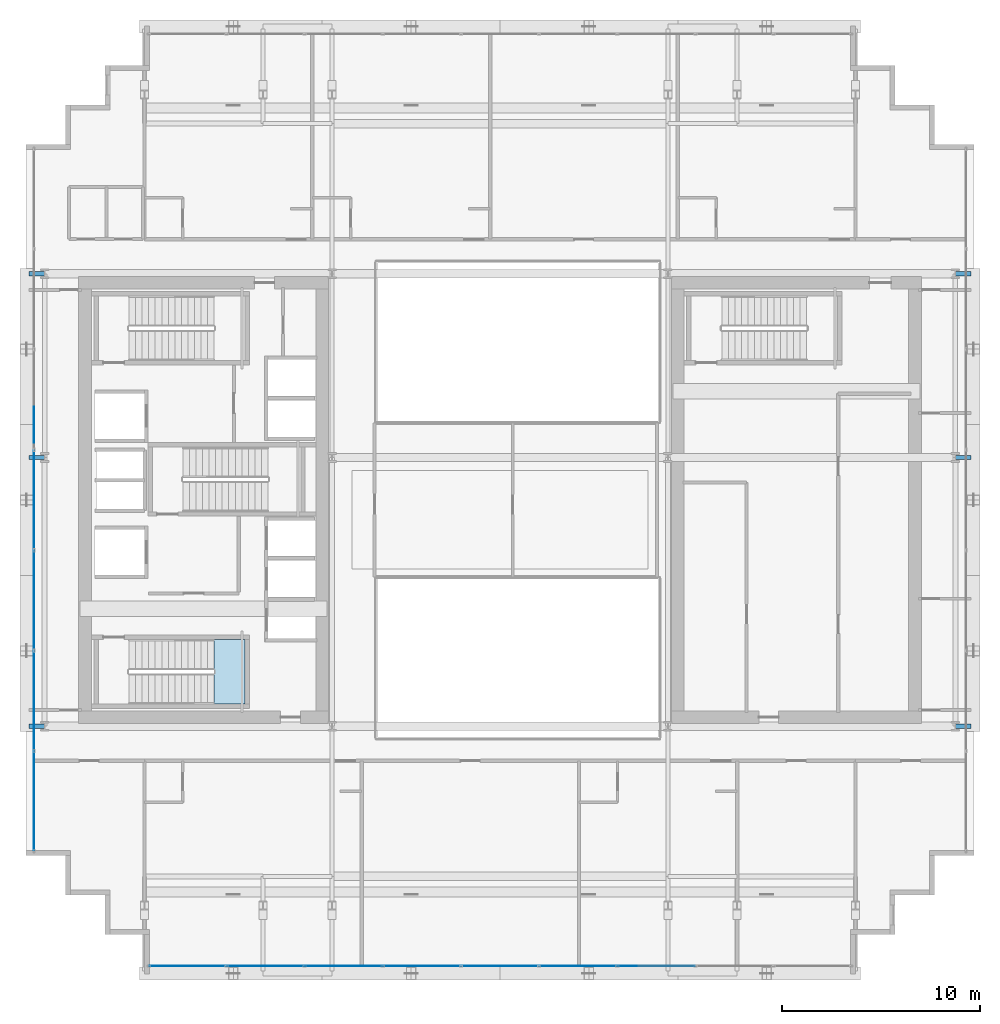
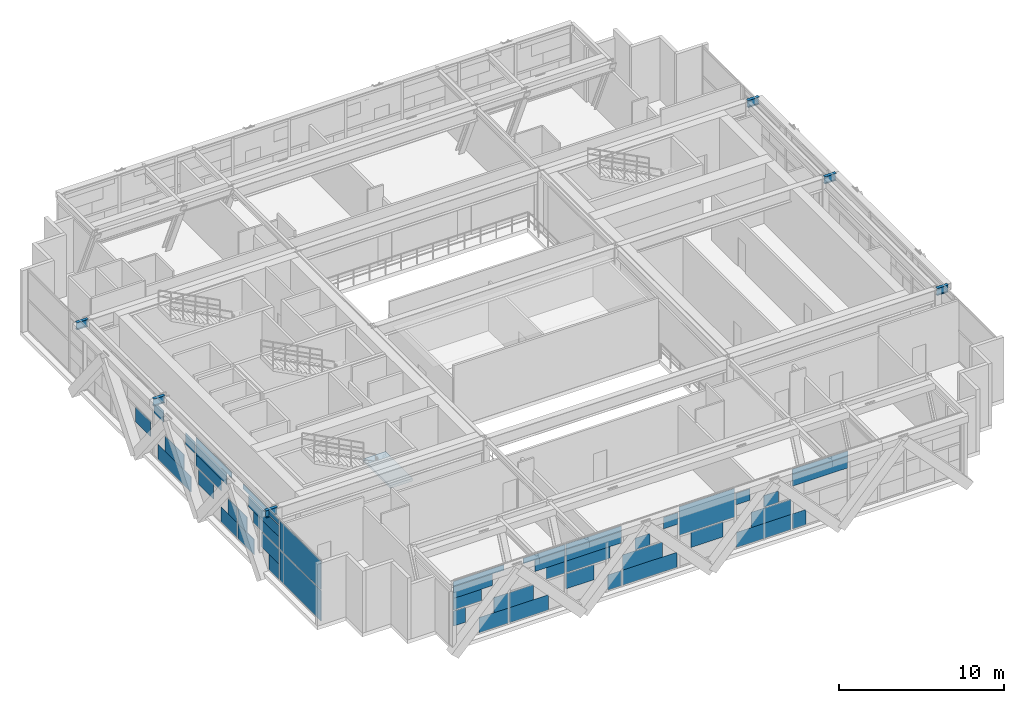
# One storey, part 23 of 35: 49 plates, 6 beams, 1 slab, 3 elements without a shape of their own.
"""IFC4 building model written with IfcOpenShell, lengths in metres."""

from ifc_helpers import new_model, si_unit, direction, frame, origin, origin_2d, place, context, subcontext, project, spatial, polyline, rectangle, i_section, outline, extrude, source, transform, mapped, material, layer, layer_set, material_profile, profile_set, type_object, element, aggregate, save


model = new_model("IFC4")

# Units and contexts
model_context = context("Model", 3, precision=1e-05, world=origin(), true_north=direction((0.0, 1.0)))
body_context = subcontext(model_context, "Body", "Model", "MODEL_VIEW")
ifc_project = project(units=[si_unit("LENGTHUNIT", "METRE"), si_unit("AREAUNIT", "SQUARE_METRE"), si_unit("VOLUMEUNIT", "CUBIC_METRE"), si_unit("PLANEANGLEUNIT", "RADIAN"), si_unit("MASSUNIT", "GRAM", prefix="KILO")], contexts=[model_context])

# Site, building, storey
site_placement = place(None, origin())
site = spatial("IfcSite", under=ifc_project, at=site_placement, CompositionType="ELEMENT")
building_placement = place(site_placement, origin())
building = spatial("IfcBuilding", under=site, at=building_placement, Name="Ocotamira Hotel", CompositionType="ELEMENT")
storey_placement = place(building_placement, frame((0.0, 0.0, 158.39990234375)))
storey = spatial("IfcBuildingStorey", under=building, at=storey_placement, Name="L39", CompositionType="ELEMENT", Elevation=158.39990234375)

# Beams
ifc_material_1 = material(Name="Steel ASTM A992 Grade 50", Category="steel")
ifc_material_profile = material_profile(ifc_material_1, i_section(OverallWidth=0.2099609375, OverallDepth=0.537109375, WebThickness=0.010986328125, FlangeThickness=0.017333984375, FilletRadius=0.012939453125, at=origin_2d()), Name="W21X68")
ifc_profile_set = profile_set([ifc_material_profile], Name="Steel ASTM A992 Grade 50")
beam_type = type_object("IfcBeamType", Name="BM-SEC-W21X68", PredefinedType="JOIST", material=ifc_profile_set)
shared_shape_1 = source(origin(), body_context, "Body", "SweptSolid", [
    extrude(i_section(OverallWidth=0.2099609375, OverallDepth=0.537109375, WebThickness=0.010986328125, FlangeThickness=0.017333984375, FilletRadius=0.012939453125, at=origin_2d()), origin(), (0.0, 0.0, 1.0), 0.800048828125),
])
for number, where, z_axis, x_axis, name in (
    (1, (8.949951171875, 14.550048828125, 4.301513671875), (-1.0, 0.0, 0.0), (0.0, -1.0, 0.0), "L39 West Edge Header Y14.55"),
    (2, (55.050048828125, 14.550048828125, 4.301513671875), (1.0, 0.0, 0.0), (0.0, 1.0, 0.0), "L39 East Edge Header Y14.55"),
    (3, (8.949951171875, 28.14990234375, 4.301513671875), (-1.0, 0.0, 0.0), (0.0, -1.0, 0.0), "L39 West Edge Header Y28.15"),
    (4, (55.050048828125, 28.14990234375, 4.301513671875), (1.0, 0.0, 0.0), (0.0, 1.0, 0.0), "L39 East Edge Header Y28.15"),
    (5, (8.949951171875, 37.449951171875, 4.301513671875), (-1.0, 0.0, 0.0), (0.0, -1.0, 0.0), "L39 West Edge Header Y37.45"),
    (6, (55.050048828125, 37.449951171875, 4.301513671875), (1.0, 0.0, 0.0), (0.0, 1.0, 0.0), "L39 East Edge Header Y37.45"),
):
    element("IfcBeam", number, at=place(storey_placement, frame(where, z_axis=z_axis, x_axis=x_axis)), inside=storey, type_object=beam_type, Name=name, PredefinedType="JOIST", context=body_context, shape_type="MappedRepresentation", body=[
        mapped(shared_shape_1, transform((0.0, 0.0, 0.0), scale=1.0)),
    ])

# Stair, slab
ifc_material_2 = material(Name="Concrete C40/50", Category="concrete")
stair_type = type_object("IfcStairType", Name="ST-CORE-1560", PredefinedType="HALF_TURN_STAIR", material=ifc_material_2)
stair_placement = place(storey_placement, origin())
stair = element("IfcStair", 7, at=stair_placement, inside=storey, type_object=stair_type, Name="L39 Exit Stair ST-1", PredefinedType="HALF_TURN_STAIR")
ifc_layer_1 = layer(ifc_material_2, 0.199951171875)
ifc_layer_set_1 = layer_set([ifc_layer_1], Name="Concrete C40/50")
slab_type = type_object("IfcSlabType", Name="SLB-LAND-200", PredefinedType="LANDING", material=ifc_layer_set_1)
slab_placement = place(storey_placement, frame((0.0, 0.0, 2.2001953125)))
slab = element("IfcSlab", 8, at=slab_placement, type_object=slab_type, Name="ST-1 landing 1", PredefinedType="LANDING", context=body_context, shape_type="SweptSolid", body=[
    extrude(outline(polyline([(17.52001953125, 15.669921875), (19.090087890625, 15.669921875), (19.090087890625, 18.949951171875), (17.52001953125, 18.949951171875), (17.52001953125, 15.669921875)])), origin(), (0.0, 0.0, 1.0), 0.199951171875),
])
aggregate(stair, [slab])

# Curtain wall, plate
ifc_material_3 = material(Name="Anodised pale-metal aluminium and solar glass", Category="aluminium")
ifc_layer_2 = layer(ifc_material_3, 0.239990234375)
ifc_layer_set_2 = layer_set([ifc_layer_2], Name="Anodised pale-metal aluminium and solar glass")
curtain_wall_type = type_object("IfcCurtainWallType", Name="CW-SYS5-SKY", PredefinedType="NOTDEFINED", material=ifc_layer_set_2)
curtain_wall_1_placement = place(storey_placement, origin())
curtain_wall_1 = element("IfcCurtainWall", 9, at=curtain_wall_1_placement, inside=storey, type_object=curtain_wall_type, Name="L39 Curtain Wall CW-5 CW-L39-W", PredefinedType="NOTDEFINED")
ifc_material_4 = material(Name="Double-silver low-E insulated solar glass", Category="glass")
ifc_layer_3 = layer(ifc_material_4, 0.031982421875)
ifc_layer_set_3 = layer_set([ifc_layer_3], Name="Double-silver low-E insulated solar glass")
plate_type = type_object("IfcPlateType", Name="CWP-VISION-32", PredefinedType="CURTAIN_PANEL", material=ifc_layer_set_3)
shared_shape_2 = source(origin(), body_context, "Body", "SweptSolid", [
    extrude(rectangle(XDim=4.9658203125, YDim=0.031982421875, at=origin_2d()), origin(), (0.0, 0.0, 1.0), 2.237548828125),
])
plate_1_placement = place(storey_placement, frame((8.419921875, 10.762939453125, 0.0751953125), z_axis=(0.0, 0.0, 1.0), x_axis=(0.0, 1.0, 0.0)))
plate_1 = element("IfcPlate", 10, at=plate_1_placement, type_object=plate_type, Name="CW-5 panel 1.1", PredefinedType="CURTAIN_PANEL", context=body_context, shape_type="MappedRepresentation", body=[
    mapped(shared_shape_2, transform((0.0, 0.0, 0.0), scale=1.0)),
])

# Curtain wall, plates
curtain_wall_2_placement = place(storey_placement, origin())
curtain_wall_2 = element("IfcCurtainWall", 11, at=curtain_wall_2_placement, inside=storey, type_object=curtain_wall_type, Name="L39 Curtain Wall CW-5 CW-L39-S1", PredefinedType="NOTDEFINED")
shared_shape_3 = source(origin(), body_context, "Body", "SweptSolid", [
    extrude(rectangle(XDim=0.841796875, YDim=0.031982421875, at=origin_2d()), origin(), (0.0, 0.0, 1.0), 1.118896484375),
])
plate_2_placement = place(storey_placement, frame((14.700927734375, 2.419921875, 1.19384765625), z_axis=(0.0, 0.0, 1.0), x_axis=(1.0, 0.0, 0.0)))
plate_2 = element("IfcPlate", 12, at=plate_2_placement, type_object=plate_type, Name="CW-5 panel 1.1.1", PredefinedType="CURTAIN_PANEL", context=body_context, shape_type="MappedRepresentation", body=[
    mapped(shared_shape_3, transform((0.0, 0.0, 0.0), scale=1.0)),
])
shared_shape_4 = source(origin(), body_context, "Body", "SweptSolid", [
    extrude(rectangle(XDim=2.038818359375, YDim=0.031982421875, at=origin_2d()), origin(), (0.0, 0.0, 1.0), 1.118896484375),
])
plate_3_placement = place(storey_placement, frame((17.09619140625, 2.419921875, 0.0751953125), z_axis=(0.0, 0.0, 1.0), x_axis=(1.0, 0.0, 0.0)))
plate_3 = element("IfcPlate", 13, at=plate_3_placement, type_object=plate_type, Name="CW-5 panel 1.1.2", PredefinedType="CURTAIN_PANEL", context=body_context, shape_type="MappedRepresentation", body=[
    mapped(shared_shape_4, transform((0.0, 0.0, 0.0), scale=1.0)),
])
shared_shape_5 = source(origin(), body_context, "Body", "SweptSolid", [
    extrude(rectangle(XDim=1.000732421875, YDim=0.031982421875, at=origin_2d()), origin(), (0.0, 0.0, 1.0), 1.118896484375),
])
plate_4_placement = place(storey_placement, frame((17.615234375, 2.419921875, 1.19384765625), z_axis=(0.0, 0.0, 1.0), x_axis=(1.0, 0.0, 0.0)))
plate_4 = element("IfcPlate", 14, at=plate_4_placement, type_object=plate_type, Name="CW-5 panel 1.1.3", PredefinedType="CURTAIN_PANEL", context=body_context, shape_type="MappedRepresentation", body=[
    mapped(shared_shape_5, transform((0.0, 0.0, 0.0), scale=1.0)),
])
shared_shape_6 = source(origin(), body_context, "Body", "SweptSolid", [
    extrude(rectangle(XDim=1.949462890625, YDim=0.031982421875, at=origin_2d()), origin(), (0.0, 0.0, 1.0), 0.8564453125),
])
plate_5_placement = place(storey_placement, frame((15.2548828125, 2.419921875, 2.3876953125), z_axis=(0.0, 0.0, 1.0), x_axis=(1.0, 0.0, 0.0)))
plate_5 = element("IfcPlate", 15, at=plate_5_placement, type_object=plate_type, Name="CW-5 panel 1.2.1", PredefinedType="CURTAIN_PANEL", context=body_context, shape_type="MappedRepresentation", body=[
    mapped(shared_shape_6, transform((0.0, 0.0, 0.0), scale=1.0)),
])
shared_shape_7 = source(origin(), body_context, "Body", "SweptSolid", [
    extrude(rectangle(XDim=2.744140625, YDim=0.031982421875, at=origin_2d()), origin(), (0.0, 0.0, 1.0), 0.8564453125),
])
plate_6_placement = place(storey_placement, frame((15.652099609375, 2.419921875, 3.243896484375), z_axis=(0.0, 0.0, 1.0), x_axis=(1.0, 0.0, 0.0)))
plate_6 = element("IfcPlate", 16, at=plate_6_placement, type_object=plate_type, Name="CW-5 panel 1.2.2", PredefinedType="CURTAIN_PANEL", context=body_context, shape_type="MappedRepresentation", body=[
    mapped(shared_shape_7, transform((0.0, 0.0, 0.0), scale=1.0)),
])
shared_shape_8 = source(origin(), body_context, "Body", "SweptSolid", [
    extrude(rectangle(XDim=3.538818359375, YDim=0.031982421875, at=origin_2d()), origin(), (0.0, 0.0, 1.0), 0.394775390625),
])
plate_7_placement = place(storey_placement, frame((16.04931640625, 2.419921875, 4.10009765625), z_axis=(0.0, 0.0, 1.0), x_axis=(1.0, 0.0, 0.0)))
plate_7 = element("IfcPlate", 17, at=plate_7_placement, type_object=plate_type, Name="CW-5 panel 1.2.3", PredefinedType="CURTAIN_PANEL", context=body_context, shape_type="MappedRepresentation", body=[
    mapped(shared_shape_8, transform((0.0, 0.0, 0.0), scale=1.0)),
])
shared_shape_9 = source(origin(), body_context, "Body", "SweptSolid", [
    extrude(rectangle(XDim=2.7275390625, YDim=0.031982421875, at=origin_2d()), origin(), (0.0, 0.0, 1.0), 1.118896484375),
])
plate_8_placement = place(storey_placement, frame((19.559326171875, 2.419921875, 0.0751953125), z_axis=(0.0, 0.0, 1.0), x_axis=(1.0, 0.0, 0.0)))
plate_8 = element("IfcPlate", 18, at=plate_8_placement, type_object=plate_type, Name="CW-5 panel 2.1.1", PredefinedType="CURTAIN_PANEL", context=body_context, shape_type="MappedRepresentation", body=[
    mapped(shared_shape_9, transform((0.0, 0.0, 0.0), scale=1.0)),
])
shared_shape_10 = source(origin(), body_context, "Body", "SweptSolid", [
    extrude(rectangle(XDim=1.689697265625, YDim=0.031982421875, at=origin_2d()), origin(), (0.0, 0.0, 1.0), 1.118896484375),
])
plate_9_placement = place(storey_placement, frame((19.040283203125, 2.419921875, 1.19384765625), z_axis=(0.0, 0.0, 1.0), x_axis=(1.0, 0.0, 0.0)))
plate_9 = element("IfcPlate", 19, at=plate_9_placement, type_object=plate_type, Name="CW-5 panel 2.1.2", PredefinedType="CURTAIN_PANEL", context=body_context, shape_type="MappedRepresentation", body=[
    mapped(shared_shape_10, transform((0.0, 0.0, 0.0), scale=1.0)),
])
shared_shape_11 = source(origin(), body_context, "Body", "SweptSolid", [
    extrude(rectangle(XDim=2.889892578125, YDim=0.031982421875, at=origin_2d()), origin(), (0.0, 0.0, 1.0), 0.394775390625),
])
plate_10_placement = place(storey_placement, frame((20.626220703125, 2.419921875, 4.10009765625), z_axis=(0.0, 0.0, 1.0), x_axis=(1.0, 0.0, 0.0)))
plate_10 = element("IfcPlate", 20, at=plate_10_placement, type_object=plate_type, Name="CW-5 panel 2.2.1", PredefinedType="CURTAIN_PANEL", context=body_context, shape_type="MappedRepresentation", body=[
    mapped(shared_shape_11, transform((0.0, 0.0, 0.0), scale=1.0)),
])
shared_shape_12 = source(origin(), body_context, "Body", "SweptSolid", [
    extrude(rectangle(XDim=2.09521484375, YDim=0.031982421875, at=origin_2d()), origin(), (0.0, 0.0, 1.0), 0.8564453125),
])
plate_11_placement = place(storey_placement, frame((21.0234375, 2.419921875, 3.243896484375), z_axis=(0.0, 0.0, 1.0), x_axis=(1.0, 0.0, 0.0)))
plate_11 = element("IfcPlate", 21, at=plate_11_placement, type_object=plate_type, Name="CW-5 panel 2.2.2", PredefinedType="CURTAIN_PANEL", context=body_context, shape_type="MappedRepresentation", body=[
    mapped(shared_shape_12, transform((0.0, 0.0, 0.0), scale=1.0)),
])
shared_shape_13 = source(origin(), body_context, "Body", "SweptSolid", [
    extrude(rectangle(XDim=1.300537109375, YDim=0.031982421875, at=origin_2d()), origin(), (0.0, 0.0, 1.0), 0.8564453125),
])
plate_12_placement = place(storey_placement, frame((21.4208984375, 2.419921875, 2.3876953125), z_axis=(0.0, 0.0, 1.0), x_axis=(1.0, 0.0, 0.0)))
plate_12 = element("IfcPlate", 22, at=plate_12_placement, type_object=plate_type, Name="CW-5 panel 2.2.3", PredefinedType="CURTAIN_PANEL", context=body_context, shape_type="MappedRepresentation", body=[
    mapped(shared_shape_13, transform((0.0, 0.0, 0.0), scale=1.0)),
])
shared_shape_14 = source(origin(), body_context, "Body", "SweptSolid", [
    extrude(rectangle(XDim=1.970703125, YDim=0.031982421875, at=origin_2d()), origin(), (0.0, 0.0, 1.0), 1.118896484375),
])
plate_13_placement = place(storey_placement, frame((23.136474609375, 2.419921875, 1.19384765625), z_axis=(0.0, 0.0, 1.0), x_axis=(1.0, 0.0, 0.0)))
plate_13 = element("IfcPlate", 23, at=plate_13_placement, type_object=plate_type, Name="CW-5 panel 3.1.1", PredefinedType="CURTAIN_PANEL", context=body_context, shape_type="MappedRepresentation", body=[
    mapped(shared_shape_14, transform((0.0, 0.0, 0.0), scale=1.0)),
])
shared_shape_15 = source(origin(), body_context, "Body", "SweptSolid", [
    extrude(rectangle(XDim=0.949951171875, YDim=0.031982421875, at=origin_2d()), origin(), (0.0, 0.0, 1.0), 1.118896484375),
])
plate_14_placement = place(storey_placement, frame((25.5517578125, 2.419921875, 0.0751953125), z_axis=(0.0, 0.0, 1.0), x_axis=(1.0, 0.0, 0.0)))
plate_14 = element("IfcPlate", 24, at=plate_14_placement, type_object=plate_type, Name="CW-5 panel 3.1.2", PredefinedType="CURTAIN_PANEL", context=body_context, shape_type="MappedRepresentation", body=[
    mapped(shared_shape_15, transform((0.0, 0.0, 0.0), scale=1.0)),
])
plate_15_placement = place(storey_placement, frame((38.4482421875, 2.419921875, 0.0751953125), z_axis=(0.0, 0.0, 1.0), x_axis=(1.0, 0.0, 0.0)))
plate_15 = element("IfcPlate", 25, at=plate_15_placement, type_object=plate_type, Name="CW-5 panel 7.1.1", PredefinedType="CURTAIN_PANEL", context=body_context, shape_type="MappedRepresentation", body=[
    mapped(shared_shape_15, transform((0.0, 0.0, 0.0), scale=1.0)),
])
shared_shape_16 = source(origin(), body_context, "Body", "SweptSolid", [
    extrude(rectangle(XDim=3.078369140625, YDim=0.031982421875, at=origin_2d()), origin(), (0.0, 0.0, 1.0), 0.8564453125),
])
plate_16_placement = place(storey_placement, frame((23.690185546875, 2.419921875, 2.3876953125), z_axis=(0.0, 0.0, 1.0), x_axis=(1.0, 0.0, 0.0)))
plate_16 = element("IfcPlate", 26, at=plate_16_placement, type_object=plate_type, Name="CW-5 panel 3.2.1", PredefinedType="CURTAIN_PANEL", context=body_context, shape_type="MappedRepresentation", body=[
    mapped(shared_shape_16, transform((0.0, 0.0, 0.0), scale=1.0)),
])
shared_shape_17 = source(origin(), body_context, "Body", "SweptSolid", [
    extrude(rectangle(XDim=3.873046875, YDim=0.031982421875, at=origin_2d()), origin(), (0.0, 0.0, 1.0), 0.8564453125),
])
plate_17_placement = place(storey_placement, frame((24.087646484375, 2.419921875, 3.243896484375), z_axis=(0.0, 0.0, 1.0), x_axis=(1.0, 0.0, 0.0)))
plate_17 = element("IfcPlate", 27, at=plate_17_placement, type_object=plate_type, Name="CW-5 panel 3.2.2", PredefinedType="CURTAIN_PANEL", context=body_context, shape_type="MappedRepresentation", body=[
    mapped(shared_shape_17, transform((0.0, 0.0, 0.0), scale=1.0)),
])
plate_18_placement = place(storey_placement, frame((39.912353515625, 2.419921875, 3.243896484375), z_axis=(0.0, 0.0, 1.0), x_axis=(1.0, 0.0, 0.0)))
plate_18 = element("IfcPlate", 28, at=plate_18_placement, type_object=plate_type, Name="CW-5 panel 7.2.2", PredefinedType="CURTAIN_PANEL", context=body_context, shape_type="MappedRepresentation", body=[
    mapped(shared_shape_17, transform((0.0, 0.0, 0.0), scale=1.0)),
])
shared_shape_18 = source(origin(), body_context, "Body", "SweptSolid", [
    extrude(rectangle(XDim=3.87548828125, YDim=0.031982421875, at=origin_2d()), origin(), (0.0, 0.0, 1.0), 0.394775390625),
])
plate_19_placement = place(storey_placement, frame((24.0888671875, 2.419921875, 4.10009765625), z_axis=(0.0, 0.0, 1.0), x_axis=(1.0, 0.0, 0.0)))
plate_19 = element("IfcPlate", 29, at=plate_19_placement, type_object=plate_type, Name="CW-5 panel 3.2.3", PredefinedType="CURTAIN_PANEL", context=body_context, shape_type="MappedRepresentation", body=[
    mapped(shared_shape_18, transform((0.0, 0.0, 0.0), scale=1.0)),
])
plate_20_placement = place(storey_placement, frame((39.9111328125, 2.419921875, 4.10009765625), z_axis=(0.0, 0.0, 1.0), x_axis=(1.0, 0.0, 0.0)))
plate_20 = element("IfcPlate", 30, at=plate_20_placement, type_object=plate_type, Name="CW-5 panel 7.2.1", PredefinedType="CURTAIN_PANEL", context=body_context, shape_type="MappedRepresentation", body=[
    mapped(shared_shape_18, transform((0.0, 0.0, 0.0), scale=1.0)),
])
shared_shape_19 = source(origin(), body_context, "Body", "SweptSolid", [
    extrude(rectangle(XDim=3.81640625, YDim=0.031982421875, at=origin_2d()), origin(), (0.0, 0.0, 1.0), 1.118896484375),
])
plate_21_placement = place(storey_placement, frame((28.014892578125, 2.419921875, 0.0751953125), z_axis=(0.0, 0.0, 1.0), x_axis=(1.0, 0.0, 0.0)))
plate_21 = element("IfcPlate", 31, at=plate_21_placement, type_object=plate_type, Name="CW-5 panel 4.1.1", PredefinedType="CURTAIN_PANEL", context=body_context, shape_type="MappedRepresentation", body=[
    mapped(shared_shape_19, transform((0.0, 0.0, 0.0), scale=1.0)),
])
plate_22_placement = place(storey_placement, frame((35.985107421875, 2.419921875, 0.0751953125), z_axis=(0.0, 0.0, 1.0), x_axis=(1.0, 0.0, 0.0)))
plate_22 = element("IfcPlate", 32, at=plate_22_placement, type_object=plate_type, Name="CW-5 panel 6.1.1", PredefinedType="CURTAIN_PANEL", context=body_context, shape_type="MappedRepresentation", body=[
    mapped(shared_shape_19, transform((0.0, 0.0, 0.0), scale=1.0)),
])
shared_shape_20 = source(origin(), body_context, "Body", "SweptSolid", [
    extrude(rectangle(XDim=2.778564453125, YDim=0.031982421875, at=origin_2d()), origin(), (0.0, 0.0, 1.0), 1.118896484375),
])
plate_23_placement = place(storey_placement, frame((27.495849609375, 2.419921875, 1.19384765625), z_axis=(0.0, 0.0, 1.0), x_axis=(1.0, 0.0, 0.0)))
plate_23 = element("IfcPlate", 33, at=plate_23_placement, type_object=plate_type, Name="CW-5 panel 4.1.2", PredefinedType="CURTAIN_PANEL", context=body_context, shape_type="MappedRepresentation", body=[
    mapped(shared_shape_20, transform((0.0, 0.0, 0.0), scale=1.0)),
])
plate_24_placement = place(storey_placement, frame((36.504150390625, 2.419921875, 1.19384765625), z_axis=(0.0, 0.0, 1.0), x_axis=(1.0, 0.0, 0.0)))
plate_24 = element("IfcPlate", 34, at=plate_24_placement, type_object=plate_type, Name="CW-5 panel 6.1.2", PredefinedType="CURTAIN_PANEL", context=body_context, shape_type="MappedRepresentation", body=[
    mapped(shared_shape_20, transform((0.0, 0.0, 0.0), scale=1.0)),
])
shared_shape_21 = source(origin(), body_context, "Body", "SweptSolid", [
    extrude(rectangle(XDim=1.0419921875, YDim=0.031982421875, at=origin_2d()), origin(), (0.0, 0.0, 1.0), 0.8564453125),
])
plate_25_placement = place(storey_placement, frame((27.5, 2.419921875, 2.3876953125), z_axis=(0.0, 0.0, 1.0), x_axis=(1.0, 0.0, 0.0)))
plate_25 = element("IfcPlate", 35, at=plate_25_placement, type_object=plate_type, Name="CW-5 panel 4.2.1", PredefinedType="CURTAIN_PANEL", context=body_context, shape_type="MappedRepresentation", body=[
    mapped(shared_shape_21, transform((0.0, 0.0, 0.0), scale=1.0)),
])
plate_26_placement = place(storey_placement, frame((36.5, 2.419921875, 2.3876953125), z_axis=(0.0, 0.0, 1.0), x_axis=(1.0, 0.0, 0.0)))
plate_26 = element("IfcPlate", 36, at=plate_26_placement, type_object=plate_type, Name="CW-5 panel 6.2.2", PredefinedType="CURTAIN_PANEL", context=body_context, shape_type="MappedRepresentation", body=[
    mapped(shared_shape_21, transform((0.0, 0.0, 0.0), scale=1.0)),
])
shared_shape_22 = source(origin(), body_context, "Body", "SweptSolid", [
    extrude(rectangle(XDim=1.00634765625, YDim=0.031982421875, at=origin_2d()), origin(), (0.0, 0.0, 1.0), 0.8564453125),
])
plate_27_placement = place(storey_placement, frame((29.47900390625, 2.419921875, 3.243896484375), z_axis=(0.0, 0.0, 1.0), x_axis=(1.0, 0.0, 0.0)))
plate_27 = element("IfcPlate", 37, at=plate_27_placement, type_object=plate_type, Name="CW-5 panel 4.2.2", PredefinedType="CURTAIN_PANEL", context=body_context, shape_type="MappedRepresentation", body=[
    mapped(shared_shape_22, transform((0.0, 0.0, 0.0), scale=1.0)),
])
plate_28_placement = place(storey_placement, frame((34.52099609375, 2.419921875, 3.243896484375), z_axis=(0.0, 0.0, 1.0), x_axis=(1.0, 0.0, 0.0)))
plate_28 = element("IfcPlate", 38, at=plate_28_placement, type_object=plate_type, Name="CW-5 panel 6.2.1", PredefinedType="CURTAIN_PANEL", context=body_context, shape_type="MappedRepresentation", body=[
    mapped(shared_shape_22, transform((0.0, 0.0, 0.0), scale=1.0)),
])
shared_shape_23 = source(origin(), body_context, "Body", "SweptSolid", [
    extrude(rectangle(XDim=2.243896484375, YDim=0.031982421875, at=origin_2d()), origin(), (0.0, 0.0, 1.0), 1.118896484375),
])
plate_29_placement = place(storey_placement, frame((32.0, 2.419921875, 1.19384765625), z_axis=(0.0, 0.0, 1.0), x_axis=(1.0, 0.0, 0.0)))
plate_29 = element("IfcPlate", 39, at=plate_29_placement, type_object=plate_type, Name="CW-5 panel 5.1.1", PredefinedType="CURTAIN_PANEL", context=body_context, shape_type="MappedRepresentation", body=[
    mapped(shared_shape_23, transform((0.0, 0.0, 0.0), scale=1.0)),
])
shared_shape_24 = source(origin(), body_context, "Body", "SweptSolid", [
    extrude(rectangle(XDim=3.87548828125, YDim=0.031982421875, at=origin_2d()), origin(), (0.0, 0.0, 1.0), 2.107421875),
])
plate_30_placement = place(storey_placement, frame((32.0, 2.419921875, 2.3876953125), z_axis=(0.0, 0.0, 1.0), x_axis=(1.0, 0.0, 0.0)))
plate_30 = element("IfcPlate", 40, at=plate_30_placement, type_object=plate_type, Name="CW-5 panel 5.2", PredefinedType="CURTAIN_PANEL", context=body_context, shape_type="MappedRepresentation", body=[
    mapped(shared_shape_24, transform((0.0, 0.0, 0.0), scale=1.0)),
])
aggregate(curtain_wall_2, [plate_2, plate_3, plate_4, plate_5, plate_6, plate_7, plate_8, plate_9, plate_10, plate_11, plate_12, plate_13, plate_14, plate_16, plate_17, plate_19, plate_21, plate_23, plate_25, plate_27, plate_29, plate_30, plate_22, plate_24, plate_28, plate_26, plate_15, plate_20, plate_18])

# Plate
shared_shape_25 = source(origin(), body_context, "Body", "SweptSolid", [
    extrude(rectangle(XDim=4.9658203125, YDim=0.031982421875, at=origin_2d()), origin(), (0.0, 0.0, 1.0), 2.107421875),
])
plate_31_placement = place(storey_placement, frame((8.419921875, 10.762939453125, 2.3876953125), z_axis=(0.0, 0.0, 1.0), x_axis=(0.0, 1.0, 0.0)))
plate_31 = element("IfcPlate", 41, at=plate_31_placement, type_object=plate_type, Name="CW-5 panel 1.2", PredefinedType="CURTAIN_PANEL", context=body_context, shape_type="MappedRepresentation", body=[
    mapped(shared_shape_25, transform((0.0, 0.0, 0.0), scale=1.0)),
])

shared_shape_26 = source(origin(), body_context, "Body", "SweptSolid", [
    extrude(rectangle(XDim=1.2548828125, YDim=0.031982421875, at=origin_2d()), origin(), (0.0, 0.0, 1.0), 1.118896484375),
])
plate_32_placement = place(storey_placement, frame((8.419921875, 13.953125, 0.0751953125), z_axis=(0.0, 0.0, 1.0), x_axis=(0.0, 1.0, 0.0)))
plate_32 = element("IfcPlate", 42, at=plate_32_placement, type_object=plate_type, Name="CW-5 panel 2.1.1", PredefinedType="CURTAIN_PANEL", context=body_context, shape_type="MappedRepresentation", body=[
    mapped(shared_shape_26, transform((0.0, 0.0, 0.0), scale=1.0)),
])

shared_shape_27 = source(origin(), body_context, "Body", "SweptSolid", [
    extrude(rectangle(XDim=2.135498046875, YDim=0.031982421875, at=origin_2d()), origin(), (0.0, 0.0, 1.0), 1.118896484375),
])
plate_33_placement = place(storey_placement, frame((8.419921875, 14.393310546875, 1.19384765625), z_axis=(0.0, 0.0, 1.0), x_axis=(0.0, 1.0, 0.0)))
plate_33 = element("IfcPlate", 43, at=plate_33_placement, type_object=plate_type, Name="CW-5 panel 2.1.2", PredefinedType="CURTAIN_PANEL", context=body_context, shape_type="MappedRepresentation", body=[
    mapped(shared_shape_27, transform((0.0, 0.0, 0.0), scale=1.0)),
])

shared_shape_28 = source(origin(), body_context, "Body", "SweptSolid", [
    extrude(rectangle(XDim=1.9794921875, YDim=0.031982421875, at=origin_2d()), origin(), (0.0, 0.0, 1.0), 1.118896484375),
])
plate_34_placement = place(storey_placement, frame((8.419921875, 17.341552734375, 0.0751953125), z_axis=(0.0, 0.0, 1.0), x_axis=(0.0, 1.0, 0.0)))
plate_34 = element("IfcPlate", 44, at=plate_34_placement, type_object=plate_type, Name="CW-5 panel 2.1.3", PredefinedType="CURTAIN_PANEL", context=body_context, shape_type="MappedRepresentation", body=[
    mapped(shared_shape_28, transform((0.0, 0.0, 0.0), scale=1.0)),
])

shared_shape_29 = source(origin(), body_context, "Body", "SweptSolid", [
    extrude(rectangle(XDim=1.09912109375, YDim=0.031982421875, at=origin_2d()), origin(), (0.0, 0.0, 1.0), 1.118896484375),
])
plate_35_placement = place(storey_placement, frame((8.419921875, 17.78173828125, 1.19384765625), z_axis=(0.0, 0.0, 1.0), x_axis=(0.0, 1.0, 0.0)))
plate_35 = element("IfcPlate", 45, at=plate_35_placement, type_object=plate_type, Name="CW-5 panel 2.1.4", PredefinedType="CURTAIN_PANEL", context=body_context, shape_type="MappedRepresentation", body=[
    mapped(shared_shape_29, transform((0.0, 0.0, 0.0), scale=1.0)),
])

shared_shape_30 = source(origin(), body_context, "Body", "SweptSolid", [
    extrude(rectangle(XDim=3.07470703125, YDim=0.031982421875, at=origin_2d()), origin(), (0.0, 0.0, 1.0), 0.830322265625),
])
plate_36_placement = place(storey_placement, frame((8.419921875, 14.863037109375, 2.3876953125), z_axis=(0.0, 0.0, 1.0), x_axis=(0.0, 1.0, 0.0)))
plate_36 = element("IfcPlate", 46, at=plate_36_placement, type_object=plate_type, Name="CW-5 panel 2.2.1", PredefinedType="CURTAIN_PANEL", context=body_context, shape_type="MappedRepresentation", body=[
    mapped(shared_shape_30, transform((0.0, 0.0, 0.0), scale=1.0)),
])

shared_shape_31 = source(origin(), body_context, "Body", "SweptSolid", [
    extrude(rectangle(XDim=3.728271484375, YDim=0.031982421875, at=origin_2d()), origin(), (0.0, 0.0, 1.0), 0.830322265625),
])
plate_37_placement = place(storey_placement, frame((8.419921875, 15.189697265625, 3.21826171875), z_axis=(0.0, 0.0, 1.0), x_axis=(0.0, 1.0, 0.0)))
plate_37 = element("IfcPlate", 47, at=plate_37_placement, type_object=plate_type, Name="CW-5 panel 2.2.2", PredefinedType="CURTAIN_PANEL", context=body_context, shape_type="MappedRepresentation", body=[
    mapped(shared_shape_31, transform((0.0, 0.0, 0.0), scale=1.0)),
])

shared_shape_32 = source(origin(), body_context, "Body", "SweptSolid", [
    extrude(rectangle(XDim=4.34521484375, YDim=0.031982421875, at=origin_2d()), origin(), (0.0, 0.0, 1.0), 0.371826171875),
])
plate_38_placement = place(storey_placement, frame((8.419921875, 15.498291015625, 4.123046875), z_axis=(0.0, 0.0, 1.0), x_axis=(0.0, 1.0, 0.0)))
plate_38 = element("IfcPlate", 48, at=plate_38_placement, type_object=plate_type, Name="CW-5 panel 2.2.3", PredefinedType="CURTAIN_PANEL", context=body_context, shape_type="MappedRepresentation", body=[
    mapped(shared_shape_32, transform((0.0, 0.0, 0.0), scale=1.0)),
])

shared_shape_33 = source(origin(), body_context, "Body", "SweptSolid", [
    extrude(rectangle(XDim=1.969970703125, YDim=0.031982421875, at=origin_2d()), origin(), (0.0, 0.0, 1.0), 1.118896484375),
])
plate_39_placement = place(storey_placement, frame((8.419921875, 19.396484375, 0.0751953125), z_axis=(0.0, 0.0, 1.0), x_axis=(0.0, 1.0, 0.0)))
plate_39 = element("IfcPlate", 49, at=plate_39_placement, type_object=plate_type, Name="CW-5 panel 3.1.1", PredefinedType="CURTAIN_PANEL", context=body_context, shape_type="MappedRepresentation", body=[
    mapped(shared_shape_33, transform((0.0, 0.0, 0.0), scale=1.0)),
])

shared_shape_34 = source(origin(), body_context, "Body", "SweptSolid", [
    extrude(rectangle(XDim=1.089599609375, YDim=0.031982421875, at=origin_2d()), origin(), (0.0, 0.0, 1.0), 1.118896484375),
])
plate_40_placement = place(storey_placement, frame((8.419921875, 18.956298828125, 1.19384765625), z_axis=(0.0, 0.0, 1.0), x_axis=(0.0, 1.0, 0.0)))
plate_40 = element("IfcPlate", 50, at=plate_40_placement, type_object=plate_type, Name="CW-5 panel 3.1.2", PredefinedType="CURTAIN_PANEL", context=body_context, shape_type="MappedRepresentation", body=[
    mapped(shared_shape_34, transform((0.0, 0.0, 0.0), scale=1.0)),
])

shared_shape_35 = source(origin(), body_context, "Body", "SweptSolid", [
    extrude(rectangle(XDim=1.822265625, YDim=0.031982421875, at=origin_2d()), origin(), (0.0, 0.0, 1.0), 1.118896484375),
])
plate_41_placement = place(storey_placement, frame((8.419921875, 22.183349609375, 1.19384765625), z_axis=(0.0, 0.0, 1.0), x_axis=(0.0, 1.0, 0.0)))
plate_41 = element("IfcPlate", 51, at=plate_41_placement, type_object=plate_type, Name="CW-5 panel 3.1.3", PredefinedType="CURTAIN_PANEL", context=body_context, shape_type="MappedRepresentation", body=[
    mapped(shared_shape_35, transform((0.0, 0.0, 0.0), scale=1.0)),
])

plate_42_placement = place(storey_placement, frame((8.419921875, 29.816650390625, 1.19384765625), z_axis=(0.0, 0.0, 1.0), x_axis=(0.0, 1.0, 0.0)))
plate_42 = element("IfcPlate", 52, at=plate_42_placement, type_object=plate_type, Name="CW-5 panel 5.1.1", PredefinedType="CURTAIN_PANEL", context=body_context, shape_type="MappedRepresentation", body=[
    mapped(shared_shape_35, transform((0.0, 0.0, 0.0), scale=1.0)),
])

shared_shape_36 = source(origin(), body_context, "Body", "SweptSolid", [
    extrude(rectangle(XDim=4.35498046875, YDim=0.031982421875, at=origin_2d()), origin(), (0.0, 0.0, 1.0), 0.371826171875),
])
plate_43_placement = place(storey_placement, frame((8.419921875, 21.23974609375, 4.123046875), z_axis=(0.0, 0.0, 1.0), x_axis=(0.0, 1.0, 0.0)))
plate_43 = element("IfcPlate", 53, at=plate_43_placement, type_object=plate_type, Name="CW-5 panel 3.2.1", PredefinedType="CURTAIN_PANEL", context=body_context, shape_type="MappedRepresentation", body=[
    mapped(shared_shape_36, transform((0.0, 0.0, 0.0), scale=1.0)),
])

shared_shape_37 = source(origin(), body_context, "Body", "SweptSolid", [
    extrude(rectangle(XDim=3.73779296875, YDim=0.031982421875, at=origin_2d()), origin(), (0.0, 0.0, 1.0), 0.830322265625),
])
plate_44_placement = place(storey_placement, frame((8.419921875, 21.548095703125, 3.21826171875), z_axis=(0.0, 0.0, 1.0), x_axis=(0.0, 1.0, 0.0)))
plate_44 = element("IfcPlate", 54, at=plate_44_placement, type_object=plate_type, Name="CW-5 panel 3.2.2", PredefinedType="CURTAIN_PANEL", context=body_context, shape_type="MappedRepresentation", body=[
    mapped(shared_shape_37, transform((0.0, 0.0, 0.0), scale=1.0)),
])

shared_shape_38 = source(origin(), body_context, "Body", "SweptSolid", [
    extrude(rectangle(XDim=3.08447265625, YDim=0.031982421875, at=origin_2d()), origin(), (0.0, 0.0, 1.0), 0.830322265625),
])
plate_45_placement = place(storey_placement, frame((8.419921875, 21.875, 2.3876953125), z_axis=(0.0, 0.0, 1.0), x_axis=(0.0, 1.0, 0.0)))
plate_45 = element("IfcPlate", 55, at=plate_45_placement, type_object=plate_type, Name="CW-5 panel 3.2.3", PredefinedType="CURTAIN_PANEL", context=body_context, shape_type="MappedRepresentation", body=[
    mapped(shared_shape_38, transform((0.0, 0.0, 0.0), scale=1.0)),
])

shared_shape_39 = source(origin(), body_context, "Body", "SweptSolid", [
    extrude(rectangle(XDim=4.029541015625, YDim=0.031982421875, at=origin_2d()), origin(), (0.0, 0.0, 1.0), 1.118896484375),
])
plate_46_placement = place(storey_placement, frame((8.419921875, 26.0, 0.0751953125), z_axis=(0.0, 0.0, 1.0), x_axis=(0.0, 1.0, 0.0)))
plate_46 = element("IfcPlate", 56, at=plate_46_placement, type_object=plate_type, Name="CW-5 panel 4.1.1", PredefinedType="CURTAIN_PANEL", context=body_context, shape_type="MappedRepresentation", body=[
    mapped(shared_shape_39, transform((0.0, 0.0, 0.0), scale=1.0)),
])

shared_shape_40 = source(origin(), body_context, "Body", "SweptSolid", [
    extrude(rectangle(XDim=2.268798828125, YDim=0.031982421875, at=origin_2d()), origin(), (0.0, 0.0, 1.0), 1.118896484375),
])
plate_47_placement = place(storey_placement, frame((8.419921875, 26.0, 1.19384765625), z_axis=(0.0, 0.0, 1.0), x_axis=(0.0, 1.0, 0.0)))
plate_47 = element("IfcPlate", 57, at=plate_47_placement, type_object=plate_type, Name="CW-5 panel 4.1.2", PredefinedType="CURTAIN_PANEL", context=body_context, shape_type="MappedRepresentation", body=[
    mapped(shared_shape_40, transform((0.0, 0.0, 0.0), scale=1.0)),
])

shared_shape_41 = source(origin(), body_context, "Body", "SweptSolid", [
    extrude(rectangle(XDim=1.190185546875, YDim=0.031982421875, at=origin_2d()), origin(), (0.0, 0.0, 1.0), 0.830322265625),
])
plate_48_placement = place(storey_placement, frame((8.419921875, 24.09228515625, 3.21826171875), z_axis=(0.0, 0.0, 1.0), x_axis=(0.0, 1.0, 0.0)))
plate_48 = element("IfcPlate", 58, at=plate_48_placement, type_object=plate_type, Name="CW-5 panel 4.2.1", PredefinedType="CURTAIN_PANEL", context=body_context, shape_type="MappedRepresentation", body=[
    mapped(shared_shape_41, transform((0.0, 0.0, 0.0), scale=1.0)),
])

plate_49_placement = place(storey_placement, frame((8.419921875, 27.90771484375, 3.21826171875), z_axis=(0.0, 0.0, 1.0), x_axis=(0.0, 1.0, 0.0)))
plate_49 = element("IfcPlate", 59, at=plate_49_placement, type_object=plate_type, Name="CW-5 panel 4.2.2", PredefinedType="CURTAIN_PANEL", context=body_context, shape_type="MappedRepresentation", body=[
    mapped(shared_shape_41, transform((0.0, 0.0, 0.0), scale=1.0)),
])

aggregate(curtain_wall_1, [plate_1, plate_31, plate_32, plate_33, plate_34, plate_35, plate_36, plate_37, plate_38, plate_39, plate_40, plate_41, plate_43, plate_44, plate_45, plate_46, plate_47, plate_48, plate_49, plate_42])

save(model, "model.ifc")
